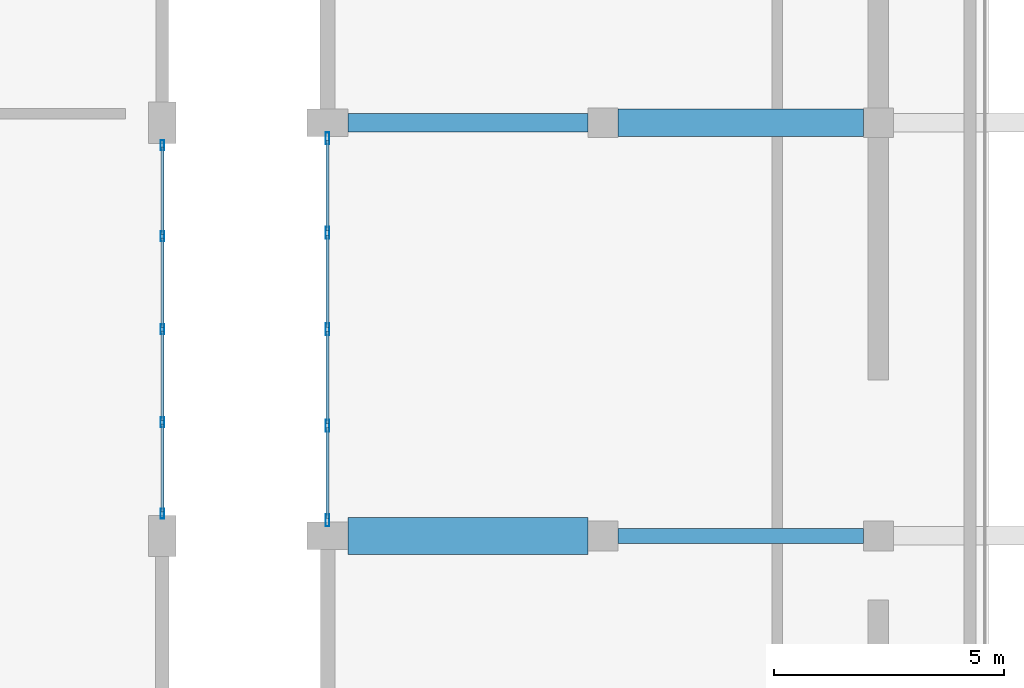
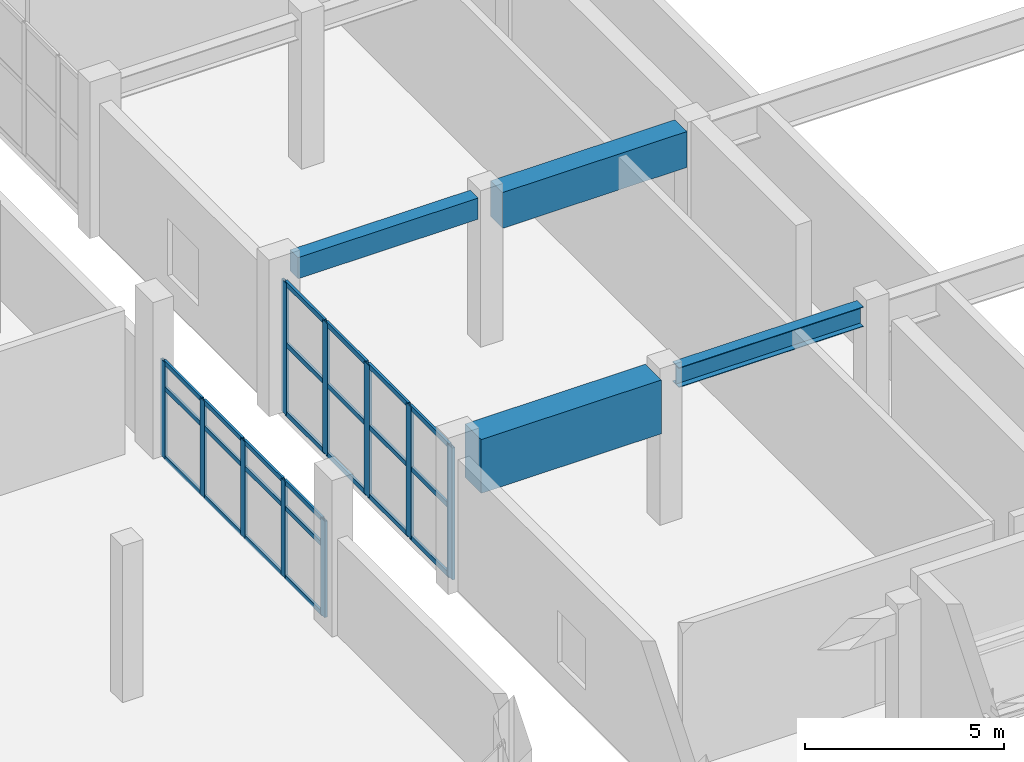
# One storey, part 11 of 62: 34 members, 4 beams, 2 elements without a shape of their own.
"""IFC4 building model written with IfcOpenShell, lengths in metres."""

from ifc_helpers import new_model, si_unit, direction, frame, origin, origin_2d, place, context, subcontext, project, spatial, rectangle, hollow_rectangle, i_section, extrude, material, layer, layer_set, material_profile, profile_set, type_object, element, aggregate, save


model = new_model("IFC4")

# Units and contexts
model_context = context("Model", 3, precision=1e-05, world=origin(), true_north=direction((0.0, 1.0)))
body_context = subcontext(model_context, "Body", "Model", "MODEL_VIEW")
ifc_project = project(units=[si_unit("LENGTHUNIT", "METRE"), si_unit("AREAUNIT", "SQUARE_METRE"), si_unit("VOLUMEUNIT", "CUBIC_METRE"), si_unit("PLANEANGLEUNIT", "RADIAN"), si_unit("MASSUNIT", "GRAM", prefix="KILO")], contexts=[model_context])

# Site, building, storey
site_placement = place(None, origin())
site = spatial("IfcSite", under=ifc_project, at=site_placement, CompositionType="ELEMENT")
building_placement = place(site_placement, origin())
building = spatial("IfcBuilding", under=site, at=building_placement, Name="Vaelkrest Opera House", CompositionType="ELEMENT")
storey_placement = place(building_placement, frame((0.0, 0.0, 19.800048828125)))
storey = spatial("IfcBuildingStorey", under=building, at=storey_placement, Name="L04", CompositionType="ELEMENT", Elevation=19.800048828125)

# Beams
ifc_material_1 = material(Name="Concrete C50/60", Category="concrete")
ifc_material_profile_1 = material_profile(ifc_material_1, rectangle(XDim=0.39990234375, YDim=0.64990234375, at=origin_2d()), Name="RCB400X650")
ifc_profile_set_1 = profile_set([ifc_material_profile_1], Name="Concrete C50/60")
beam_type_1 = type_object("IfcBeamType", Name="B01", PredefinedType="BEAM", material=ifc_profile_set_1)
beam_1_placement = place(storey_placement, frame((-29.550048828125, 1.199951171875, 4.179931640625), z_axis=(1.0, 0.0, 0.0), x_axis=(0.0, 1.0, 0.0)))
element("IfcBeam", 1, at=beam_1_placement, inside=storey, type_object=beam_type_1, Name="Beam BM-V1-L04-0557", PredefinedType="BEAM", context=body_context, shape_type="SweptSolid", body=[
    extrude(rectangle(XDim=0.39990234375, YDim=0.64990234375, at=origin_2d()), origin(), (0.0, 0.0, 1.0), 5.22509765625),
])
ifc_material_profile_2 = material_profile(ifc_material_1, rectangle(XDim=0.60009765625, YDim=1.10009765625, at=origin_2d()), Name="RCB600X1100")
ifc_profile_set_2 = profile_set([ifc_material_profile_2], Name="Concrete C50/60")
beam_type_2 = type_object("IfcBeamType", Name="B05", PredefinedType="BEAM", material=ifc_profile_set_2)
beam_2_placement = place(storey_placement, frame((-23.675048828125, 1.199951171875, 3.954833984375), z_axis=(1.0, 0.0, 0.0), x_axis=(0.0, 1.0, 0.0)))
element("IfcBeam", 2, at=beam_2_placement, inside=storey, type_object=beam_type_2, Name="Beam BM-V1-L04-0558", PredefinedType="BEAM", context=body_context, shape_type="SweptSolid", body=[
    extrude(rectangle(XDim=0.60009765625, YDim=1.10009765625, at=origin_2d()), origin(), (0.0, 0.0, 1.0), 5.35009765625),
])
ifc_material_profile_3 = material_profile(ifc_material_1, rectangle(XDim=0.800048828125, YDim=1.64990234375, at=origin_2d()), Name="RCB800X1650")
ifc_profile_set_3 = profile_set([ifc_material_profile_3], Name="Concrete C50/60")
beam_type_3 = type_object("IfcBeamType", Name="B07", PredefinedType="BEAM", material=ifc_profile_set_3)
beam_3_placement = place(storey_placement, frame((-29.550048828125, -7.800048828125, 3.679931640625), z_axis=(1.0, 0.0, 0.0), x_axis=(0.0, 1.0, 0.0)))
element("IfcBeam", 3, at=beam_3_placement, inside=storey, type_object=beam_type_3, Name="Beam BM-V1-L04-0552", PredefinedType="BEAM", context=body_context, shape_type="SweptSolid", body=[
    extrude(rectangle(XDim=0.800048828125, YDim=1.64990234375, at=origin_2d()), origin(), (0.0, 0.0, 1.0), 5.22509765625),
])
ifc_material_2 = material(Name="Steel A992 Gr50", Category="steel")
ifc_material_profile_4 = material_profile(ifc_material_2, i_section(OverallWidth=0.323974609375, OverallDepth=0.611083984375, WebThickness=0.0126953125, FlangeThickness=0.01904296875, at=origin_2d()), Name="W24X104")
ifc_profile_set_4 = profile_set([ifc_material_profile_4], Name="Steel A992 Gr50")
beam_type_4 = type_object("IfcBeamType", Name="B08", PredefinedType="BEAM", material=ifc_profile_set_4)
beam_4_placement = place(storey_placement, frame((-23.675048828125, -7.800048828125, 4.199462890625), z_axis=(1.0, 0.0, 0.0), x_axis=(0.0, 1.0, 0.0)))
element("IfcBeam", 4, at=beam_4_placement, inside=storey, type_object=beam_type_4, Name="Beam BM-V1-L04-0553", PredefinedType="BEAM", context=body_context, shape_type="SweptSolid", body=[
    extrude(i_section(OverallWidth=0.323974609375, OverallDepth=0.611083984375, WebThickness=0.0126953125, FlangeThickness=0.01904296875, at=origin_2d()), origin(), (0.0, 0.0, 1.0), 5.35009765625),
])

# Curtain wall, members
ifc_material_3 = material(Name="Dark bronze anodized aluminium", Category="aluminium")
ifc_layer_1 = layer(ifc_material_3, 0.239990234375)
ifc_layer_set_1 = layer_set([ifc_layer_1], Name="Dark bronze anodized aluminium")
curtain_wall_type_1 = type_object("IfcCurtainWallType", Name="CW07", PredefinedType="NOTDEFINED", material=ifc_layer_set_1)
curtain_wall_1_placement = place(storey_placement, origin())
curtain_wall_1 = element("IfcCurtainWall", 5, at=curtain_wall_1_placement, inside=storey, type_object=curtain_wall_type_1, Name="Curtain wall CW-L04-148", PredefinedType="NOTDEFINED")
ifc_material_profile_5 = material_profile(ifc_material_3, hollow_rectangle(XDim=0.074951171875, YDim=0.219970703125, WallThickness=0.00439453125, at=origin_2d()), Name="CWM75X220")
ifc_profile_set_5 = profile_set([ifc_material_profile_5], Name="Dark bronze anodized aluminium")
member_type_1 = type_object("IfcMemberType", Name="CWM03", PredefinedType="MULLION", material=ifc_profile_set_5)
member_1_placement = place(storey_placement, frame((-33.60009765625, 0.714599609375, 0.0), z_axis=(0.0, 0.0, 1.0), x_axis=(1.0, 0.0, 0.0)))
member_1 = element("IfcMember", 6, at=member_1_placement, type_object=member_type_1, Name="CW07 mullion 1", PredefinedType="MULLION", context=body_context, shape_type="SweptSolid", body=[
    extrude(hollow_rectangle(XDim=0.074951171875, YDim=0.219970703125, WallThickness=0.00439453125, at=origin_2d()), origin(), (0.0, 0.0, 1.0), 2.9580078125),
])
member_2_placement = place(storey_placement, frame((-33.60009765625, -1.27392578125, 0.0), z_axis=(0.0, 0.0, 1.0), x_axis=(1.0, 0.0, 0.0)))
member_2 = element("IfcMember", 7, at=member_2_placement, type_object=member_type_1, Name="CW07 mullion 2", PredefinedType="MULLION", context=body_context, shape_type="SweptSolid", body=[
    extrude(hollow_rectangle(XDim=0.074951171875, YDim=0.219970703125, WallThickness=0.00439453125, at=origin_2d()), origin(), (0.0, 0.0, 1.0), 2.9580078125),
])
member_3_placement = place(storey_placement, frame((-33.60009765625, -3.300048828125, 0.0), z_axis=(0.0, 0.0, 1.0), x_axis=(1.0, 0.0, 0.0)))
member_3 = element("IfcMember", 8, at=member_3_placement, type_object=member_type_1, Name="CW07 mullion 3", PredefinedType="MULLION", context=body_context, shape_type="SweptSolid", body=[
    extrude(hollow_rectangle(XDim=0.074951171875, YDim=0.219970703125, WallThickness=0.00439453125, at=origin_2d()), origin(), (0.0, 0.0, 1.0), 2.9580078125),
])
member_4_placement = place(storey_placement, frame((-33.60009765625, -5.325927734375, 0.0), z_axis=(0.0, 0.0, 1.0), x_axis=(1.0, 0.0, 0.0)))
member_4 = element("IfcMember", 9, at=member_4_placement, type_object=member_type_1, Name="CW07 mullion 4", PredefinedType="MULLION", context=body_context, shape_type="SweptSolid", body=[
    extrude(hollow_rectangle(XDim=0.074951171875, YDim=0.219970703125, WallThickness=0.00439453125, at=origin_2d()), origin(), (0.0, 0.0, 1.0), 2.9580078125),
])
member_5_placement = place(storey_placement, frame((-33.60009765625, -7.314453125, 0.0), z_axis=(0.0, 0.0, 1.0), x_axis=(1.0, 0.0, 0.0)))
member_5 = element("IfcMember", 10, at=member_5_placement, type_object=member_type_1, Name="CW07 mullion 5", PredefinedType="MULLION", context=body_context, shape_type="SweptSolid", body=[
    extrude(hollow_rectangle(XDim=0.074951171875, YDim=0.219970703125, WallThickness=0.00439453125, at=origin_2d()), origin(), (0.0, 0.0, 1.0), 2.9580078125),
])

ifc_layer_2 = layer(ifc_material_3, 0.25)
ifc_layer_set_2 = layer_set([ifc_layer_2], Name="Dark bronze anodized aluminium")
curtain_wall_type_2 = type_object("IfcCurtainWallType", Name="CW08", PredefinedType="NOTDEFINED", material=ifc_layer_set_2)
curtain_wall_2_placement = place(storey_placement, origin())
curtain_wall_2 = element("IfcCurtainWall", 11, at=curtain_wall_2_placement, inside=storey, type_object=curtain_wall_type_2, Name="Curtain wall CW-L04-062", PredefinedType="NOTDEFINED")
ifc_material_profile_6 = material_profile(ifc_material_3, hollow_rectangle(XDim=0.080078125, YDim=0.260009765625, WallThickness=0.0048828125, at=origin_2d()), Name="CWM80X260")
ifc_profile_set_6 = profile_set([ifc_material_profile_6], Name="Dark bronze anodized aluminium")
member_type_2 = type_object("IfcMemberType", Name="CWM04", PredefinedType="MULLION", material=ifc_profile_set_6)
member_6_placement = place(storey_placement, frame((-30.0, -7.4619140625, 0.0), z_axis=(0.0, 0.0, 1.0), x_axis=(-1.0, 0.0, 0.0)))
member_6 = element("IfcMember", 12, at=member_6_placement, type_object=member_type_2, Name="CW08 mullion 1", PredefinedType="MULLION", context=body_context, shape_type="SweptSolid", body=[
    extrude(hollow_rectangle(XDim=0.080078125, YDim=0.260009765625, WallThickness=0.0048828125, at=origin_2d()), origin(), (0.0, 0.0, 1.0), 4.04296875),
])
member_7_placement = place(storey_placement, frame((-30.0, -5.40087890625, 0.0), z_axis=(0.0, 0.0, 1.0), x_axis=(-1.0, 0.0, 0.0)))
member_7 = element("IfcMember", 13, at=member_7_placement, type_object=member_type_2, Name="CW08 mullion 2", PredefinedType="MULLION", context=body_context, shape_type="SweptSolid", body=[
    extrude(hollow_rectangle(XDim=0.080078125, YDim=0.260009765625, WallThickness=0.0048828125, at=origin_2d()), origin(), (0.0, 0.0, 1.0), 4.04296875),
])
member_8_placement = place(storey_placement, frame((-30.0, -3.300048828125, 0.0), z_axis=(0.0, 0.0, 1.0), x_axis=(-1.0, 0.0, 0.0)))
member_8 = element("IfcMember", 14, at=member_8_placement, type_object=member_type_2, Name="CW08 mullion 3", PredefinedType="MULLION", context=body_context, shape_type="SweptSolid", body=[
    extrude(hollow_rectangle(XDim=0.080078125, YDim=0.260009765625, WallThickness=0.0048828125, at=origin_2d()), origin(), (0.0, 0.0, 1.0), 4.04296875),
])
member_9_placement = place(storey_placement, frame((-30.0, -1.198974609375, 0.0), z_axis=(0.0, 0.0, 1.0), x_axis=(-1.0, 0.0, 0.0)))
member_9 = element("IfcMember", 15, at=member_9_placement, type_object=member_type_2, Name="CW08 mullion 4", PredefinedType="MULLION", context=body_context, shape_type="SweptSolid", body=[
    extrude(hollow_rectangle(XDim=0.080078125, YDim=0.260009765625, WallThickness=0.0048828125, at=origin_2d()), origin(), (0.0, 0.0, 1.0), 4.04296875),
])
member_10_placement = place(storey_placement, frame((-30.0, 0.862060546875, 0.0), z_axis=(0.0, 0.0, 1.0), x_axis=(-1.0, 0.0, 0.0)))
member_10 = element("IfcMember", 16, at=member_10_placement, type_object=member_type_2, Name="CW08 mullion 5", PredefinedType="MULLION", context=body_context, shape_type="SweptSolid", body=[
    extrude(hollow_rectangle(XDim=0.080078125, YDim=0.260009765625, WallThickness=0.0048828125, at=origin_2d()), origin(), (0.0, 0.0, 1.0), 4.04296875),
])

# Member
ifc_material_profile_7 = material_profile(ifc_material_3, hollow_rectangle(XDim=0.06494140625, YDim=0.139892578125, WallThickness=0.00390625, at=origin_2d()), Name="CWT65X140")
ifc_profile_set_7 = profile_set([ifc_material_profile_7], Name="Dark bronze anodized aluminium")
member_type_3 = type_object("IfcMemberType", Name="CWT01", PredefinedType="USERDEFINED", material=ifc_profile_set_7)
member_11_placement = place(storey_placement, frame((-33.60009765625, 0.677001953125, 0.032470703125), z_axis=(0.0, -1.0, 0.0), x_axis=(1.0, 0.0, 0.0)))
member_11 = element("IfcMember", 17, at=member_11_placement, type_object=member_type_3, Name="CW07 transom 1.1", ObjectType="TRANSOM", PredefinedType="USERDEFINED", context=body_context, shape_type="SweptSolid", body=[
    extrude(hollow_rectangle(XDim=0.06494140625, YDim=0.139892578125, WallThickness=0.00390625, at=origin_2d()), origin(), (0.0, 0.0, 1.0), 1.91357421875),
])

member_12_placement = place(storey_placement, frame((-33.60009765625, 0.677001953125, 2.14990234375), z_axis=(0.0, -1.0, 0.0), x_axis=(1.0, 0.0, 0.0)))
member_12 = element("IfcMember", 18, at=member_12_placement, type_object=member_type_3, Name="CW07 transom 1.2", ObjectType="TRANSOM", PredefinedType="USERDEFINED", context=body_context, shape_type="SweptSolid", body=[
    extrude(hollow_rectangle(XDim=0.06494140625, YDim=0.139892578125, WallThickness=0.00390625, at=origin_2d()), origin(), (0.0, 0.0, 1.0), 1.91357421875),
])

member_13_placement = place(storey_placement, frame((-33.60009765625, 0.677001953125, 2.925537109375), z_axis=(0.0, -1.0, 0.0), x_axis=(1.0, 0.0, 0.0)))
member_13 = element("IfcMember", 19, at=member_13_placement, type_object=member_type_3, Name="CW07 transom 1.3", ObjectType="TRANSOM", PredefinedType="USERDEFINED", context=body_context, shape_type="SweptSolid", body=[
    extrude(hollow_rectangle(XDim=0.06494140625, YDim=0.139892578125, WallThickness=0.00390625, at=origin_2d()), origin(), (0.0, 0.0, 1.0), 1.91357421875),
])

member_14_placement = place(storey_placement, frame((-33.60009765625, -1.3115234375, 0.032470703125), z_axis=(0.0, -1.0, 0.0), x_axis=(1.0, 0.0, 0.0)))
member_14 = element("IfcMember", 20, at=member_14_placement, type_object=member_type_3, Name="CW07 transom 2.1", ObjectType="TRANSOM", PredefinedType="USERDEFINED", context=body_context, shape_type="SweptSolid", body=[
    extrude(hollow_rectangle(XDim=0.06494140625, YDim=0.139892578125, WallThickness=0.00390625, at=origin_2d()), origin(), (0.0, 0.0, 1.0), 1.950927734375),
])

member_15_placement = place(storey_placement, frame((-33.60009765625, -1.3115234375, 2.14990234375), z_axis=(0.0, -1.0, 0.0), x_axis=(1.0, 0.0, 0.0)))
member_15 = element("IfcMember", 21, at=member_15_placement, type_object=member_type_3, Name="CW07 transom 2.2", ObjectType="TRANSOM", PredefinedType="USERDEFINED", context=body_context, shape_type="SweptSolid", body=[
    extrude(hollow_rectangle(XDim=0.06494140625, YDim=0.139892578125, WallThickness=0.00390625, at=origin_2d()), origin(), (0.0, 0.0, 1.0), 1.950927734375),
])

member_16_placement = place(storey_placement, frame((-33.60009765625, -1.3115234375, 2.925537109375), z_axis=(0.0, -1.0, 0.0), x_axis=(1.0, 0.0, 0.0)))
member_16 = element("IfcMember", 22, at=member_16_placement, type_object=member_type_3, Name="CW07 transom 2.3", ObjectType="TRANSOM", PredefinedType="USERDEFINED", context=body_context, shape_type="SweptSolid", body=[
    extrude(hollow_rectangle(XDim=0.06494140625, YDim=0.139892578125, WallThickness=0.00390625, at=origin_2d()), origin(), (0.0, 0.0, 1.0), 1.950927734375),
])

member_17_placement = place(storey_placement, frame((-33.60009765625, -3.33740234375, 0.032470703125), z_axis=(0.0, -1.0, 0.0), x_axis=(1.0, 0.0, 0.0)))
member_17 = element("IfcMember", 23, at=member_17_placement, type_object=member_type_3, Name="CW07 transom 3.1", ObjectType="TRANSOM", PredefinedType="USERDEFINED", context=body_context, shape_type="SweptSolid", body=[
    extrude(hollow_rectangle(XDim=0.06494140625, YDim=0.139892578125, WallThickness=0.00390625, at=origin_2d()), origin(), (0.0, 0.0, 1.0), 1.951171875),
])

member_18_placement = place(storey_placement, frame((-33.60009765625, -3.33740234375, 2.14990234375), z_axis=(0.0, -1.0, 0.0), x_axis=(1.0, 0.0, 0.0)))
member_18 = element("IfcMember", 24, at=member_18_placement, type_object=member_type_3, Name="CW07 transom 3.2", ObjectType="TRANSOM", PredefinedType="USERDEFINED", context=body_context, shape_type="SweptSolid", body=[
    extrude(hollow_rectangle(XDim=0.06494140625, YDim=0.139892578125, WallThickness=0.00390625, at=origin_2d()), origin(), (0.0, 0.0, 1.0), 1.951171875),
])

member_19_placement = place(storey_placement, frame((-33.60009765625, -3.33740234375, 2.925537109375), z_axis=(0.0, -1.0, 0.0), x_axis=(1.0, 0.0, 0.0)))
member_19 = element("IfcMember", 25, at=member_19_placement, type_object=member_type_3, Name="CW07 transom 3.3", ObjectType="TRANSOM", PredefinedType="USERDEFINED", context=body_context, shape_type="SweptSolid", body=[
    extrude(hollow_rectangle(XDim=0.06494140625, YDim=0.139892578125, WallThickness=0.00390625, at=origin_2d()), origin(), (0.0, 0.0, 1.0), 1.951171875),
])

member_20_placement = place(storey_placement, frame((-33.60009765625, -5.363525390625, 0.032470703125), z_axis=(0.0, -1.0, 0.0), x_axis=(1.0, 0.0, 0.0)))
member_20 = element("IfcMember", 26, at=member_20_placement, type_object=member_type_3, Name="CW07 transom 4.1", ObjectType="TRANSOM", PredefinedType="USERDEFINED", context=body_context, shape_type="SweptSolid", body=[
    extrude(hollow_rectangle(XDim=0.06494140625, YDim=0.139892578125, WallThickness=0.00390625, at=origin_2d()), origin(), (0.0, 0.0, 1.0), 1.91357421875),
])

member_21_placement = place(storey_placement, frame((-33.60009765625, -5.363525390625, 2.14990234375), z_axis=(0.0, -1.0, 0.0), x_axis=(1.0, 0.0, 0.0)))
member_21 = element("IfcMember", 27, at=member_21_placement, type_object=member_type_3, Name="CW07 transom 4.2", ObjectType="TRANSOM", PredefinedType="USERDEFINED", context=body_context, shape_type="SweptSolid", body=[
    extrude(hollow_rectangle(XDim=0.06494140625, YDim=0.139892578125, WallThickness=0.00390625, at=origin_2d()), origin(), (0.0, 0.0, 1.0), 1.91357421875),
])

member_22_placement = place(storey_placement, frame((-33.60009765625, -5.363525390625, 2.925537109375), z_axis=(0.0, -1.0, 0.0), x_axis=(1.0, 0.0, 0.0)))
member_22 = element("IfcMember", 28, at=member_22_placement, type_object=member_type_3, Name="CW07 transom 4.3", ObjectType="TRANSOM", PredefinedType="USERDEFINED", context=body_context, shape_type="SweptSolid", body=[
    extrude(hollow_rectangle(XDim=0.06494140625, YDim=0.139892578125, WallThickness=0.00390625, at=origin_2d()), origin(), (0.0, 0.0, 1.0), 1.91357421875),
])

aggregate(curtain_wall_1, [member_1, member_2, member_3, member_4, member_5, member_11, member_12, member_13, member_14, member_15, member_16, member_17, member_18, member_19, member_20, member_21, member_22])

ifc_material_profile_8 = material_profile(ifc_material_3, hollow_rectangle(XDim=0.070068359375, YDim=0.14990234375, WallThickness=0.004150390625, at=origin_2d()), Name="CWT70X150")
ifc_profile_set_8 = profile_set([ifc_material_profile_8], Name="Dark bronze anodized aluminium")
member_type_4 = type_object("IfcMemberType", Name="CWT02", PredefinedType="USERDEFINED", material=ifc_profile_set_8)
member_23_placement = place(storey_placement, frame((-30.0, -7.422119140625, 0.034912109375), z_axis=(0.0, 1.0, 0.0), x_axis=(-1.0, 0.0, 0.0)))
member_23 = element("IfcMember", 29, at=member_23_placement, type_object=member_type_4, Name="CW08 transom 1.1", ObjectType="TRANSOM", PredefinedType="USERDEFINED", context=body_context, shape_type="SweptSolid", body=[
    extrude(hollow_rectangle(XDim=0.070068359375, YDim=0.14990234375, WallThickness=0.004150390625, at=origin_2d()), origin(), (0.0, 0.0, 1.0), 1.981201171875),
])

member_24_placement = place(storey_placement, frame((-30.0, -7.422119140625, 2.14990234375), z_axis=(0.0, 1.0, 0.0), x_axis=(-1.0, 0.0, 0.0)))
member_24 = element("IfcMember", 30, at=member_24_placement, type_object=member_type_4, Name="CW08 transom 1.2", ObjectType="TRANSOM", PredefinedType="USERDEFINED", context=body_context, shape_type="SweptSolid", body=[
    extrude(hollow_rectangle(XDim=0.070068359375, YDim=0.14990234375, WallThickness=0.004150390625, at=origin_2d()), origin(), (0.0, 0.0, 1.0), 1.981201171875),
])

member_25_placement = place(storey_placement, frame((-30.0, -7.422119140625, 4.008056640625), z_axis=(0.0, 1.0, 0.0), x_axis=(-1.0, 0.0, 0.0)))
member_25 = element("IfcMember", 31, at=member_25_placement, type_object=member_type_4, Name="CW08 transom 1.3", ObjectType="TRANSOM", PredefinedType="USERDEFINED", context=body_context, shape_type="SweptSolid", body=[
    extrude(hollow_rectangle(XDim=0.070068359375, YDim=0.14990234375, WallThickness=0.004150390625, at=origin_2d()), origin(), (0.0, 0.0, 1.0), 1.981201171875),
])

member_26_placement = place(storey_placement, frame((-30.0, -5.361083984375, 0.034912109375), z_axis=(0.0, 1.0, 0.0), x_axis=(-1.0, 0.0, 0.0)))
member_26 = element("IfcMember", 32, at=member_26_placement, type_object=member_type_4, Name="CW08 transom 2.1", ObjectType="TRANSOM", PredefinedType="USERDEFINED", context=body_context, shape_type="SweptSolid", body=[
    extrude(hollow_rectangle(XDim=0.070068359375, YDim=0.14990234375, WallThickness=0.004150390625, at=origin_2d()), origin(), (0.0, 0.0, 1.0), 2.02099609375),
])

member_27_placement = place(storey_placement, frame((-30.0, -5.361083984375, 2.14990234375), z_axis=(0.0, 1.0, 0.0), x_axis=(-1.0, 0.0, 0.0)))
member_27 = element("IfcMember", 33, at=member_27_placement, type_object=member_type_4, Name="CW08 transom 2.2", ObjectType="TRANSOM", PredefinedType="USERDEFINED", context=body_context, shape_type="SweptSolid", body=[
    extrude(hollow_rectangle(XDim=0.070068359375, YDim=0.14990234375, WallThickness=0.004150390625, at=origin_2d()), origin(), (0.0, 0.0, 1.0), 2.02099609375),
])

member_28_placement = place(storey_placement, frame((-30.0, -5.361083984375, 4.008056640625), z_axis=(0.0, 1.0, 0.0), x_axis=(-1.0, 0.0, 0.0)))
member_28 = element("IfcMember", 34, at=member_28_placement, type_object=member_type_4, Name="CW08 transom 2.3", ObjectType="TRANSOM", PredefinedType="USERDEFINED", context=body_context, shape_type="SweptSolid", body=[
    extrude(hollow_rectangle(XDim=0.070068359375, YDim=0.14990234375, WallThickness=0.004150390625, at=origin_2d()), origin(), (0.0, 0.0, 1.0), 2.02099609375),
])

member_29_placement = place(storey_placement, frame((-30.0, -3.260009765625, 0.034912109375), z_axis=(0.0, 1.0, 0.0), x_axis=(-1.0, 0.0, 0.0)))
member_29 = element("IfcMember", 35, at=member_29_placement, type_object=member_type_4, Name="CW08 transom 3.1", ObjectType="TRANSOM", PredefinedType="USERDEFINED", context=body_context, shape_type="SweptSolid", body=[
    extrude(hollow_rectangle(XDim=0.070068359375, YDim=0.14990234375, WallThickness=0.004150390625, at=origin_2d()), origin(), (0.0, 0.0, 1.0), 2.02099609375),
])

member_30_placement = place(storey_placement, frame((-30.0, -3.260009765625, 2.14990234375), z_axis=(0.0, 1.0, 0.0), x_axis=(-1.0, 0.0, 0.0)))
member_30 = element("IfcMember", 36, at=member_30_placement, type_object=member_type_4, Name="CW08 transom 3.2", ObjectType="TRANSOM", PredefinedType="USERDEFINED", context=body_context, shape_type="SweptSolid", body=[
    extrude(hollow_rectangle(XDim=0.070068359375, YDim=0.14990234375, WallThickness=0.004150390625, at=origin_2d()), origin(), (0.0, 0.0, 1.0), 2.02099609375),
])

member_31_placement = place(storey_placement, frame((-30.0, -3.260009765625, 4.008056640625), z_axis=(0.0, 1.0, 0.0), x_axis=(-1.0, 0.0, 0.0)))
member_31 = element("IfcMember", 37, at=member_31_placement, type_object=member_type_4, Name="CW08 transom 3.3", ObjectType="TRANSOM", PredefinedType="USERDEFINED", context=body_context, shape_type="SweptSolid", body=[
    extrude(hollow_rectangle(XDim=0.070068359375, YDim=0.14990234375, WallThickness=0.004150390625, at=origin_2d()), origin(), (0.0, 0.0, 1.0), 2.02099609375),
])

member_32_placement = place(storey_placement, frame((-30.0, -1.158935546875, 0.034912109375), z_axis=(0.0, 1.0, 0.0), x_axis=(-1.0, 0.0, 0.0)))
member_32 = element("IfcMember", 38, at=member_32_placement, type_object=member_type_4, Name="CW08 transom 4.1", ObjectType="TRANSOM", PredefinedType="USERDEFINED", context=body_context, shape_type="SweptSolid", body=[
    extrude(hollow_rectangle(XDim=0.070068359375, YDim=0.14990234375, WallThickness=0.004150390625, at=origin_2d()), origin(), (0.0, 0.0, 1.0), 1.98095703125),
])

member_33_placement = place(storey_placement, frame((-30.0, -1.158935546875, 2.14990234375), z_axis=(0.0, 1.0, 0.0), x_axis=(-1.0, 0.0, 0.0)))
member_33 = element("IfcMember", 39, at=member_33_placement, type_object=member_type_4, Name="CW08 transom 4.2", ObjectType="TRANSOM", PredefinedType="USERDEFINED", context=body_context, shape_type="SweptSolid", body=[
    extrude(hollow_rectangle(XDim=0.070068359375, YDim=0.14990234375, WallThickness=0.004150390625, at=origin_2d()), origin(), (0.0, 0.0, 1.0), 1.98095703125),
])

member_34_placement = place(storey_placement, frame((-30.0, -1.158935546875, 4.008056640625), z_axis=(0.0, 1.0, 0.0), x_axis=(-1.0, 0.0, 0.0)))
member_34 = element("IfcMember", 40, at=member_34_placement, type_object=member_type_4, Name="CW08 transom 4.3", ObjectType="TRANSOM", PredefinedType="USERDEFINED", context=body_context, shape_type="SweptSolid", body=[
    extrude(hollow_rectangle(XDim=0.070068359375, YDim=0.14990234375, WallThickness=0.004150390625, at=origin_2d()), origin(), (0.0, 0.0, 1.0), 1.98095703125),
])

aggregate(curtain_wall_2, [member_6, member_7, member_8, member_9, member_10, member_23, member_24, member_25, member_26, member_27, member_28, member_29, member_30, member_31, member_32, member_33, member_34])

save(model, "model.ifc")
